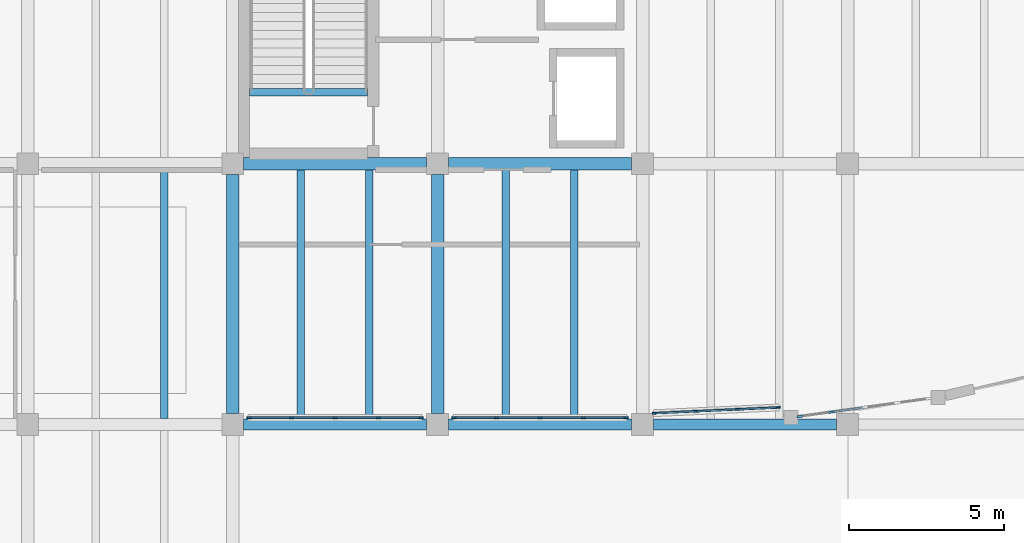
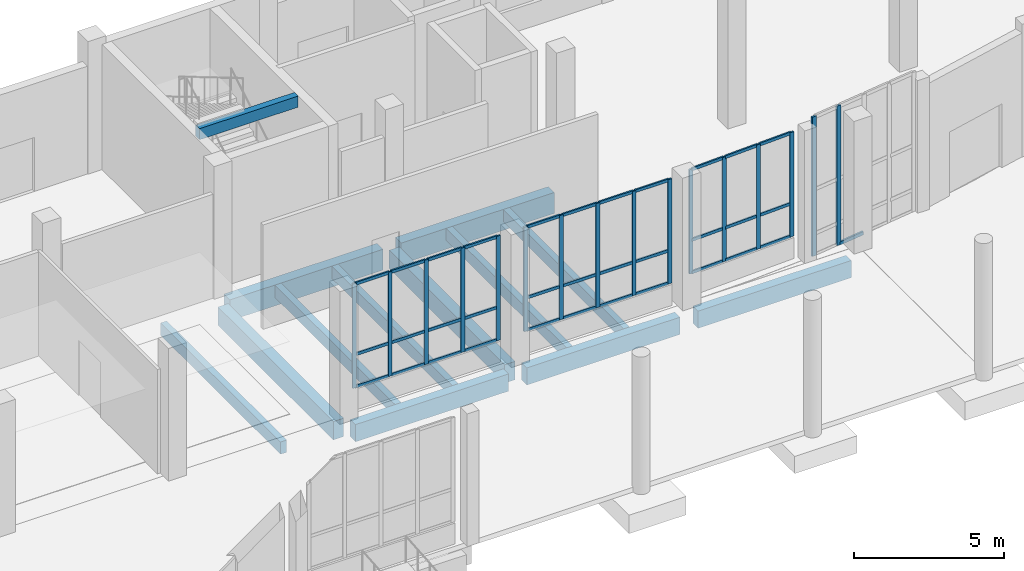
# One storey, part 14 of 64: 50 members, 13 beams, 4 elements without a shape of their own.
"""IFC4 building model written with IfcOpenShell, lengths in metres."""

from ifc_helpers import new_model, si_unit, direction, frame, origin, origin_2d, place, context, subcontext, project, spatial, rectangle, extrude, material, material_profile, profile_set, type_object, element, aggregate, save


model = new_model("IFC4")

# Units and contexts
model_context = context("Model", 3, precision=1e-05, world=origin(), true_north=direction((0.0, 1.0)))
body_context = subcontext(model_context, "Body", "Model", "MODEL_VIEW")
ifc_project = project(units=[si_unit("LENGTHUNIT", "METRE"), si_unit("AREAUNIT", "SQUARE_METRE"), si_unit("VOLUMEUNIT", "CUBIC_METRE"), si_unit("PLANEANGLEUNIT", "RADIAN"), si_unit("MASSUNIT", "GRAM", prefix="KILO")], contexts=[model_context])

# Site, building, storey
site_placement = place(None, origin())
site = spatial("IfcSite", under=ifc_project, at=site_placement, CompositionType="ELEMENT")
building_placement = place(site_placement, origin())
building = spatial("IfcBuilding", under=site, at=building_placement, Name="Qaldarim Faculty of Natural and Applied Sciences", CompositionType="ELEMENT")
storey_placement = place(building_placement, origin())
storey = spatial("IfcBuildingStorey", under=building, at=storey_placement, Name="L00", CompositionType="ELEMENT", Elevation=0.0)

# Beams
ifc_material_1 = material(Name="Concrete C40/50", Category="concrete")
ifc_material_profile_1 = material_profile(ifc_material_1, rectangle(XDim=0.239990234375, YDim=0.5, at=origin_2d()), Name="RC-J240x500")
ifc_profile_set_1 = profile_set([ifc_material_profile_1], Name="Concrete C40/50")
beam_type_1 = type_object("IfcBeamType", Name="HeavyJoist-RC240x500", PredefinedType="JOIST", material=ifc_profile_set_1)
beam_1_placement = place(storey_placement, frame((96.800048828125, 101.0, -0.610107421875), z_axis=(0.0, 1.0, 0.0), x_axis=(-1.0, 0.0, 0.0)))
element("IfcBeam", 1, at=beam_1_placement, inside=storey, type_object=beam_type_1, Name="Laboratory joist B01 bay X15Y13-2", PredefinedType="JOIST", context=body_context, shape_type="SweptSolid", body=[
    extrude(rectangle(XDim=0.239990234375, YDim=0.5, at=origin_2d()), origin(), (0.0, 0.0, 1.0), 8.0),
])
for number, where, z_axis, x_axis, name in (
    (2, (101.199951171875, 100.97509765625, -0.610107421875), (0.0, 1.0, 0.0), (-1.0, 0.0, 0.0), "Laboratory joist B01 bay X16Y13-1"),
    (3, (103.39990234375, 100.97509765625, -0.610107421875), (0.0, 1.0, 0.0), (-1.0, 0.0, 0.0), "Laboratory joist B01 bay X16Y13-2"),
    (4, (107.800048828125, 100.97509765625, -0.610107421875), (0.0, 1.0, 0.0), (-1.0, 0.0, 0.0), "Laboratory joist B01 bay X17Y13-1"),
    (5, (110.0, 100.97509765625, -0.610107421875), (0.0, 1.0, 0.0), (-1.0, 0.0, 0.0), "Laboratory joist B01 bay X17Y13-2"),
):
    element("IfcBeam", number, at=place(storey_placement, frame(where, z_axis=z_axis, x_axis=x_axis)), inside=storey, type_object=beam_type_1, Name=name, PredefinedType="JOIST", context=body_context, shape_type="SweptSolid", body=[
        extrude(rectangle(XDim=0.239990234375, YDim=0.5, at=origin_2d()), origin(), (0.0, 0.0, 1.0), 8.02490234375),
    ])
ifc_material_2 = material(Name="Concrete C50/60", Category="concrete")
ifc_material_profile_2 = material_profile(ifc_material_2, rectangle(XDim=0.39990234375, YDim=0.75, at=origin_2d()), Name="RC-B400x750")
ifc_profile_set_2 = profile_set([ifc_material_profile_2], Name="Concrete C50/60")
beam_type_2 = type_object("IfcBeamType", Name="LabGirder-RC400x750", PredefinedType="BEAM", material=ifc_profile_set_2)
for number, where, z_axis, x_axis, name in (
    (6, (99.0, 101.14990234375, -0.735107421875), (0.0, 1.0, 0.0), (-1.0, 0.0, 0.0), "Beam RC-B400x750 B01 X16/Y13-Y14"),
    (7, (105.60009765625, 101.14990234375, -0.735107421875), (0.0, 1.0, 0.0), (-1.0, 0.0, 0.0), "Beam RC-B400x750 B01 X17/Y13-Y14"),
):
    element("IfcBeam", number, at=place(storey_placement, frame(where, z_axis=z_axis, x_axis=x_axis)), inside=storey, type_object=beam_type_2, Name=name, PredefinedType="BEAM", context=body_context, shape_type="SweptSolid", body=[
        extrude(rectangle(XDim=0.39990234375, YDim=0.75, at=origin_2d()), origin(), (0.0, 0.0, 1.0), 7.7001953125),
    ])
ifc_material_profile_3 = material_profile(ifc_material_1, rectangle(XDim=0.25, YDim=0.449951171875, at=origin_2d()), Name="RC-LN250x450")
ifc_profile_set_3 = profile_set([ifc_material_profile_3], Name="Concrete C40/50")
beam_type_3 = type_object("IfcBeamType", Name="LandingSupportBeam-RC250x450", PredefinedType="BEAM", material=ifc_profile_set_3)
beam_2_placement = place(storey_placement, frame((99.550048828125, 111.5, 4.875), z_axis=(1.0, 0.0, 0.0), x_axis=(0.0, 1.0, 0.0)))
element("IfcBeam", 8, at=beam_2_placement, inside=storey, type_object=beam_type_3, Name="Stair arrival support beam ST-B1 L00", PredefinedType="BEAM", context=body_context, shape_type="SweptSolid", body=[
    extrude(rectangle(XDim=0.25, YDim=0.449951171875, at=origin_2d()), origin(), (0.0, 0.0, 1.0), 3.800048828125),
])

# Curtain wall, members
ifc_material_3 = material(Name="Anodised aluminium AW-6063", Category="aluminium")
curtain_wall_type_1 = type_object("IfcCurtainWallType", Name="CurtainWallSystem-M1400", PredefinedType="USERDEFINED", material=ifc_material_3)
curtain_wall_1_placement = place(storey_placement, origin())
curtain_wall_1 = element("IfcCurtainWall", 9, at=curtain_wall_1_placement, inside=storey, type_object=curtain_wall_type_1, Name="Curtain wall CW-V4RIB-L00-X16", ObjectType="STICK CURTAIN WALL", PredefinedType="USERDEFINED")
ifc_material_profile_4 = material_profile(ifc_material_3, rectangle(XDim=0.06005859375, YDim=0.14990234375, at=origin_2d()), Name="ALU-M60x150")
ifc_profile_set_4 = profile_set([ifc_material_profile_4], Name="Anodised aluminium AW-6063")
member_type_1 = type_object("IfcMemberType", Name="Mullion-ALU60x150", PredefinedType="MULLION", material=ifc_profile_set_4)
member_1_placement = place(storey_placement, frame((99.530029296875, 101.02001953125, 0.85009765625), z_axis=(0.0, 0.0, 1.0), x_axis=(0.0, 1.0, 0.0)))
member_1 = element("IfcMember", 10, at=member_1_placement, type_object=member_type_1, Name="Mullion 1 of CW-V4RIB-L00-X16", PredefinedType="MULLION", context=body_context, shape_type="SweptSolid", body=[
    extrude(rectangle(XDim=0.06005859375, YDim=0.14990234375, at=origin_2d()), origin(), (0.0, 0.0, 1.0), 4.25),
])
member_2_placement = place(storey_placement, frame((100.89990234375, 101.02001953125, 0.85009765625), z_axis=(0.0, 0.0, 1.0), x_axis=(0.0, 1.0, 0.0)))
member_2 = element("IfcMember", 11, at=member_2_placement, type_object=member_type_1, Name="Mullion 2 of CW-V4RIB-L00-X16", PredefinedType="MULLION", context=body_context, shape_type="SweptSolid", body=[
    extrude(rectangle(XDim=0.06005859375, YDim=0.14990234375, at=origin_2d()), origin(), (0.0, 0.0, 1.0), 4.25),
])
member_3_placement = place(storey_placement, frame((102.300048828125, 101.02001953125, 0.85009765625), z_axis=(0.0, 0.0, 1.0), x_axis=(0.0, 1.0, 0.0)))
member_3 = element("IfcMember", 12, at=member_3_placement, type_object=member_type_1, Name="Mullion 3 of CW-V4RIB-L00-X16", PredefinedType="MULLION", context=body_context, shape_type="SweptSolid", body=[
    extrude(rectangle(XDim=0.06005859375, YDim=0.14990234375, at=origin_2d()), origin(), (0.0, 0.0, 1.0), 4.25),
])
member_4_placement = place(storey_placement, frame((103.699951171875, 101.02001953125, 0.85009765625), z_axis=(0.0, 0.0, 1.0), x_axis=(0.0, 1.0, 0.0)))
member_4 = element("IfcMember", 13, at=member_4_placement, type_object=member_type_1, Name="Mullion 4 of CW-V4RIB-L00-X16", PredefinedType="MULLION", context=body_context, shape_type="SweptSolid", body=[
    extrude(rectangle(XDim=0.06005859375, YDim=0.14990234375, at=origin_2d()), origin(), (0.0, 0.0, 1.0), 4.25),
])
member_5_placement = place(storey_placement, frame((105.070068359375, 101.02001953125, 0.85009765625), z_axis=(0.0, 0.0, 1.0), x_axis=(0.0, 1.0, 0.0)))
member_5 = element("IfcMember", 14, at=member_5_placement, type_object=member_type_1, Name="Mullion 5 of CW-V4RIB-L00-X16", PredefinedType="MULLION", context=body_context, shape_type="SweptSolid", body=[
    extrude(rectangle(XDim=0.06005859375, YDim=0.14990234375, at=origin_2d()), origin(), (0.0, 0.0, 1.0), 4.25),
])

curtain_wall_2_placement = place(storey_placement, origin())
curtain_wall_2 = element("IfcCurtainWall", 15, at=curtain_wall_2_placement, inside=storey, type_object=curtain_wall_type_1, Name="Curtain wall CW-V4RIB-L00-X17", ObjectType="STICK CURTAIN WALL", PredefinedType="USERDEFINED")
member_6_placement = place(storey_placement, frame((106.1298828125, 101.02001953125, 0.85009765625), z_axis=(0.0, 0.0, 1.0), x_axis=(0.0, 1.0, 0.0)))
member_6 = element("IfcMember", 16, at=member_6_placement, type_object=member_type_1, Name="Mullion 1 of CW-V4RIB-L00-X17", PredefinedType="MULLION", context=body_context, shape_type="SweptSolid", body=[
    extrude(rectangle(XDim=0.06005859375, YDim=0.14990234375, at=origin_2d()), origin(), (0.0, 0.0, 1.0), 4.25),
])
member_7_placement = place(storey_placement, frame((107.5, 101.02001953125, 0.85009765625), z_axis=(0.0, 0.0, 1.0), x_axis=(0.0, 1.0, 0.0)))
member_7 = element("IfcMember", 17, at=member_7_placement, type_object=member_type_1, Name="Mullion 2 of CW-V4RIB-L00-X17", PredefinedType="MULLION", context=body_context, shape_type="SweptSolid", body=[
    extrude(rectangle(XDim=0.06005859375, YDim=0.14990234375, at=origin_2d()), origin(), (0.0, 0.0, 1.0), 4.25),
])
member_8_placement = place(storey_placement, frame((108.89990234375, 101.02001953125, 0.85009765625), z_axis=(0.0, 0.0, 1.0), x_axis=(0.0, 1.0, 0.0)))
member_8 = element("IfcMember", 18, at=member_8_placement, type_object=member_type_1, Name="Mullion 3 of CW-V4RIB-L00-X17", PredefinedType="MULLION", context=body_context, shape_type="SweptSolid", body=[
    extrude(rectangle(XDim=0.06005859375, YDim=0.14990234375, at=origin_2d()), origin(), (0.0, 0.0, 1.0), 4.25),
])
member_9_placement = place(storey_placement, frame((110.300048828125, 101.02001953125, 0.85009765625), z_axis=(0.0, 0.0, 1.0), x_axis=(0.0, 1.0, 0.0)))
member_9 = element("IfcMember", 19, at=member_9_placement, type_object=member_type_1, Name="Mullion 4 of CW-V4RIB-L00-X17", PredefinedType="MULLION", context=body_context, shape_type="SweptSolid", body=[
    extrude(rectangle(XDim=0.06005859375, YDim=0.14990234375, at=origin_2d()), origin(), (0.0, 0.0, 1.0), 4.25),
])
member_10_placement = place(storey_placement, frame((111.669921875, 101.02001953125, 0.85009765625), z_axis=(0.0, 0.0, 1.0), x_axis=(0.0, 1.0, 0.0)))
member_10 = element("IfcMember", 20, at=member_10_placement, type_object=member_type_1, Name="Mullion 5 of CW-V4RIB-L00-X17", PredefinedType="MULLION", context=body_context, shape_type="SweptSolid", body=[
    extrude(rectangle(XDim=0.06005859375, YDim=0.14990234375, at=origin_2d()), origin(), (0.0, 0.0, 1.0), 4.25),
])

curtain_wall_3_placement = place(storey_placement, origin())
curtain_wall_3 = element("IfcCurtainWall", 21, at=curtain_wall_3_placement, inside=storey, type_object=curtain_wall_type_1, Name="Curtain wall CW-V4ARC-L00-00", ObjectType="STICK CURTAIN WALL", PredefinedType="USERDEFINED")
member_11_placement = place(storey_placement, frame((112.580078125, 101.16650390625, 0.85009765625), z_axis=(0.0, 0.0, 1.0), x_axis=(-0.045746561938, 0.998953078013, 0.0)))
member_11 = element("IfcMember", 22, at=member_11_placement, type_object=member_type_1, Name="Mullion 1 of CW-V4ARC-L00-00", PredefinedType="MULLION", context=body_context, shape_type="SweptSolid", body=[
    extrude(rectangle(XDim=0.06005859375, YDim=0.14990234375, at=origin_2d()), origin(), (0.0, 0.0, 1.0), 4.25),
])
member_12_placement = place(storey_placement, frame((113.896728515625, 101.226806640625, 0.85009765625), z_axis=(0.0, 0.0, 1.0), x_axis=(-0.045746561938, 0.998953078013, 0.0)))
member_12 = element("IfcMember", 23, at=member_12_placement, type_object=member_type_1, Name="Mullion 2 of CW-V4ARC-L00-00", PredefinedType="MULLION", context=body_context, shape_type="SweptSolid", body=[
    extrude(rectangle(XDim=0.06005859375, YDim=0.14990234375, at=origin_2d()), origin(), (0.0, 0.0, 1.0), 4.25),
])
member_13_placement = place(storey_placement, frame((115.243408203125, 101.288330078125, 0.85009765625), z_axis=(0.0, 0.0, 1.0), x_axis=(-0.045746561938, 0.998953078013, 0.0)))
member_13 = element("IfcMember", 24, at=member_13_placement, type_object=member_type_1, Name="Mullion 3 of CW-V4ARC-L00-00", PredefinedType="MULLION", context=body_context, shape_type="SweptSolid", body=[
    extrude(rectangle(XDim=0.06005859375, YDim=0.14990234375, at=origin_2d()), origin(), (0.0, 0.0, 1.0), 4.25),
])
member_14_placement = place(storey_placement, frame((116.56005859375, 101.3486328125, 0.85009765625), z_axis=(0.0, 0.0, 1.0), x_axis=(-0.045746561938, 0.998953078013, 0.0)))
member_14 = element("IfcMember", 25, at=member_14_placement, type_object=member_type_1, Name="Mullion 4 of CW-V4ARC-L00-00", PredefinedType="MULLION", context=body_context, shape_type="SweptSolid", body=[
    extrude(rectangle(XDim=0.06005859375, YDim=0.14990234375, at=origin_2d()), origin(), (0.0, 0.0, 1.0), 4.25),
])

curtain_wall_type_2 = type_object("IfcCurtainWallType", Name="CurtainWallSystem-M1200", PredefinedType="USERDEFINED", material=ifc_material_3)
curtain_wall_4_placement = place(storey_placement, origin())
curtain_wall_4 = element("IfcCurtainWall", 26, at=curtain_wall_4_placement, inside=storey, type_object=curtain_wall_type_2, Name="Curtain wall CW-PORT-ARCH-1", ObjectType="STICK CURTAIN WALL", PredefinedType="USERDEFINED")
ifc_material_profile_5 = material_profile(ifc_material_3, rectangle(XDim=0.070068359375, YDim=0.179931640625, at=origin_2d()), Name="ALU-M70x180")
ifc_profile_set_5 = profile_set([ifc_material_profile_5], Name="Anodised aluminium AW-6063")
member_type_2 = type_object("IfcMemberType", Name="Mullion-ALU70x180", PredefinedType="MULLION", material=ifc_profile_set_5)
member_15_placement = place(storey_placement, frame((117.259765625, 101.059814453125, 0.0), z_axis=(0.0, 0.0, 1.0), x_axis=(-0.136995052965, 0.990571731609, 0.0)))
member_15 = element("IfcMember", 27, at=member_15_placement, type_object=member_type_2, Name="Mullion 1 of CW-PORT-ARCH-1", PredefinedType="MULLION", context=body_context, shape_type="SweptSolid", body=[
    extrude(rectangle(XDim=0.070068359375, YDim=0.179931640625, at=origin_2d()), origin(), (0.0, 0.0, 1.0), 5.675048828125),
])
member_16_placement = place(storey_placement, frame((118.282470703125, 101.201416015625, 0.0), z_axis=(0.0, 0.0, 1.0), x_axis=(-0.136995052965, 0.990571731609, 0.0)))
member_16 = element("IfcMember", 28, at=member_16_placement, type_object=member_type_2, Name="Mullion 2 of CW-PORT-ARCH-1", PredefinedType="MULLION", context=body_context, shape_type="SweptSolid", body=[
    extrude(rectangle(XDim=0.070068359375, YDim=0.179931640625, at=origin_2d()), origin(), (0.0, 0.0, 1.0), 5.675048828125),
])

# Beams
ifc_material_profile_6 = material_profile(ifc_material_2, rectangle(XDim=0.39990234375, YDim=0.85009765625, at=origin_2d()), Name="RC-B400x850")
ifc_profile_set_6 = profile_set([ifc_material_profile_6], Name="Concrete C50/60")
beam_type_4 = type_object("IfcBeamType", Name="PodiumGirder-RC400x850", PredefinedType="BEAM", material=ifc_profile_set_6)
beam_3_placement = place(storey_placement, frame((99.35009765625, 109.199951171875, -0.784912109375), z_axis=(1.0, 0.0, 0.0), x_axis=(0.0, 1.0, 0.0)))
element("IfcBeam", 29, at=beam_3_placement, inside=storey, type_object=beam_type_4, Name="Beam RC-B400x850 B01 X16-X17/Y14", PredefinedType="BEAM", context=body_context, shape_type="SweptSolid", body=[
    extrude(rectangle(XDim=0.39990234375, YDim=0.85009765625, at=origin_2d()), origin(), (0.0, 0.0, 1.0), 5.89990234375),
])
beam_4_placement = place(storey_placement, frame((105.949951171875, 109.199951171875, -0.784912109375), z_axis=(1.0, 0.0, 0.0), x_axis=(0.0, 1.0, 0.0)))
element("IfcBeam", 30, at=beam_4_placement, inside=storey, type_object=beam_type_4, Name="Beam RC-B400x850 B01 X17-X18/Y14", PredefinedType="BEAM", context=body_context, shape_type="SweptSolid", body=[
    extrude(rectangle(XDim=0.39990234375, YDim=0.85009765625, at=origin_2d()), origin(), (0.0, 0.0, 1.0), 5.900146484375),
])
ifc_material_profile_7 = material_profile(ifc_material_1, rectangle(XDim=0.35009765625, YDim=0.699951171875, at=origin_2d()), Name="RC-B350x700")
ifc_profile_set_7 = profile_set([ifc_material_profile_7], Name="Concrete C40/50")
beam_type_5 = type_object("IfcBeamType", Name="PrimaryGirder-RC350x700", PredefinedType="BEAM", material=ifc_profile_set_7)
beam_5_placement = place(storey_placement, frame((99.35009765625, 100.800048828125, -0.7099609375), z_axis=(1.0, 0.0, 0.0), x_axis=(0.0, 1.0, 0.0)))
element("IfcBeam", 31, at=beam_5_placement, inside=storey, type_object=beam_type_5, Name="Beam RC-B350x700 B01 X16-X17/Y13", PredefinedType="BEAM", context=body_context, shape_type="SweptSolid", body=[
    extrude(rectangle(XDim=0.35009765625, YDim=0.699951171875, at=origin_2d()), origin(), (0.0, 0.0, 1.0), 5.89990234375),
])
beam_6_placement = place(storey_placement, frame((105.949951171875, 100.800048828125, -0.7099609375), z_axis=(1.0, 0.0, 0.0), x_axis=(0.0, 1.0, 0.0)))
element("IfcBeam", 32, at=beam_6_placement, inside=storey, type_object=beam_type_5, Name="Beam RC-B350x700 B01 X17-X18/Y13", PredefinedType="BEAM", context=body_context, shape_type="SweptSolid", body=[
    extrude(rectangle(XDim=0.35009765625, YDim=0.699951171875, at=origin_2d()), origin(), (0.0, 0.0, 1.0), 5.900146484375),
])
beam_7_placement = place(storey_placement, frame((112.550048828125, 100.800048828125, -0.7099609375), z_axis=(1.0, 0.0, 0.0), x_axis=(0.0, 1.0, 0.0)))
element("IfcBeam", 33, at=beam_7_placement, inside=storey, type_object=beam_type_5, Name="Beam RC-B350x700 B01 X18-X19/Y13", PredefinedType="BEAM", context=body_context, shape_type="SweptSolid", body=[
    extrude(rectangle(XDim=0.35009765625, YDim=0.699951171875, at=origin_2d()), origin(), (0.0, 0.0, 1.0), 5.89990234375),
])

# Member
ifc_material_profile_8 = material_profile(ifc_material_3, rectangle(XDim=0.06005859375, YDim=0.1201171875, at=origin_2d()), Name="ALU-T60x120")
ifc_profile_set_8 = profile_set([ifc_material_profile_8], Name="Anodised aluminium AW-6063")
member_type_3 = type_object("IfcMemberType", Name="Transom-ALU60x120", PredefinedType="USERDEFINED", material=ifc_profile_set_8)
member_17_placement = place(storey_placement, frame((99.56005859375, 101.02001953125, 0.8798828125), z_axis=(1.0, 0.0, 0.0), x_axis=(0.0, 1.0, 0.0)))
member_17 = element("IfcMember", 34, at=member_17_placement, type_object=member_type_3, Name="Transom 1-1 of CW-V4RIB-L00-X16", ObjectType="TRANSOM", PredefinedType="USERDEFINED", context=body_context, shape_type="SweptSolid", body=[
    extrude(rectangle(XDim=0.06005859375, YDim=0.1201171875, at=origin_2d()), origin(), (0.0, 0.0, 1.0), 1.31005859375),
])

member_18_placement = place(storey_placement, frame((99.56005859375, 101.02001953125, 2.199951171875), z_axis=(1.0, 0.0, 0.0), x_axis=(0.0, 1.0, 0.0)))
member_18 = element("IfcMember", 35, at=member_18_placement, type_object=member_type_3, Name="Transom 1-2 of CW-V4RIB-L00-X16", ObjectType="TRANSOM", PredefinedType="USERDEFINED", context=body_context, shape_type="SweptSolid", body=[
    extrude(rectangle(XDim=0.06005859375, YDim=0.1201171875, at=origin_2d()), origin(), (0.0, 0.0, 1.0), 1.31005859375),
])

member_19_placement = place(storey_placement, frame((99.56005859375, 101.02001953125, 5.070068359375), z_axis=(1.0, 0.0, 0.0), x_axis=(0.0, 1.0, 0.0)))
member_19 = element("IfcMember", 36, at=member_19_placement, type_object=member_type_3, Name="Transom 1-3 of CW-V4RIB-L00-X16", ObjectType="TRANSOM", PredefinedType="USERDEFINED", context=body_context, shape_type="SweptSolid", body=[
    extrude(rectangle(XDim=0.06005859375, YDim=0.1201171875, at=origin_2d()), origin(), (0.0, 0.0, 1.0), 1.31005859375),
])

member_20_placement = place(storey_placement, frame((100.929931640625, 101.02001953125, 0.8798828125), z_axis=(1.0, 0.0, 0.0), x_axis=(0.0, 1.0, 0.0)))
member_20 = element("IfcMember", 37, at=member_20_placement, type_object=member_type_3, Name="Transom 2-1 of CW-V4RIB-L00-X16", ObjectType="TRANSOM", PredefinedType="USERDEFINED", context=body_context, shape_type="SweptSolid", body=[
    extrude(rectangle(XDim=0.06005859375, YDim=0.1201171875, at=origin_2d()), origin(), (0.0, 0.0, 1.0), 1.340087890625),
])

member_21_placement = place(storey_placement, frame((100.929931640625, 101.02001953125, 2.199951171875), z_axis=(1.0, 0.0, 0.0), x_axis=(0.0, 1.0, 0.0)))
member_21 = element("IfcMember", 38, at=member_21_placement, type_object=member_type_3, Name="Transom 2-2 of CW-V4RIB-L00-X16", ObjectType="TRANSOM", PredefinedType="USERDEFINED", context=body_context, shape_type="SweptSolid", body=[
    extrude(rectangle(XDim=0.06005859375, YDim=0.1201171875, at=origin_2d()), origin(), (0.0, 0.0, 1.0), 1.340087890625),
])

member_22_placement = place(storey_placement, frame((100.929931640625, 101.02001953125, 5.070068359375), z_axis=(1.0, 0.0, 0.0), x_axis=(0.0, 1.0, 0.0)))
member_22 = element("IfcMember", 39, at=member_22_placement, type_object=member_type_3, Name="Transom 2-3 of CW-V4RIB-L00-X16", ObjectType="TRANSOM", PredefinedType="USERDEFINED", context=body_context, shape_type="SweptSolid", body=[
    extrude(rectangle(XDim=0.06005859375, YDim=0.1201171875, at=origin_2d()), origin(), (0.0, 0.0, 1.0), 1.340087890625),
])

member_23_placement = place(storey_placement, frame((102.330078125, 101.02001953125, 0.8798828125), z_axis=(1.0, 0.0, 0.0), x_axis=(0.0, 1.0, 0.0)))
member_23 = element("IfcMember", 40, at=member_23_placement, type_object=member_type_3, Name="Transom 3-1 of CW-V4RIB-L00-X16", ObjectType="TRANSOM", PredefinedType="USERDEFINED", context=body_context, shape_type="SweptSolid", body=[
    extrude(rectangle(XDim=0.06005859375, YDim=0.1201171875, at=origin_2d()), origin(), (0.0, 0.0, 1.0), 1.33984375),
])

member_24_placement = place(storey_placement, frame((102.330078125, 101.02001953125, 2.199951171875), z_axis=(1.0, 0.0, 0.0), x_axis=(0.0, 1.0, 0.0)))
member_24 = element("IfcMember", 41, at=member_24_placement, type_object=member_type_3, Name="Transom 3-2 of CW-V4RIB-L00-X16", ObjectType="TRANSOM", PredefinedType="USERDEFINED", context=body_context, shape_type="SweptSolid", body=[
    extrude(rectangle(XDim=0.06005859375, YDim=0.1201171875, at=origin_2d()), origin(), (0.0, 0.0, 1.0), 1.33984375),
])

member_25_placement = place(storey_placement, frame((102.330078125, 101.02001953125, 5.070068359375), z_axis=(1.0, 0.0, 0.0), x_axis=(0.0, 1.0, 0.0)))
member_25 = element("IfcMember", 42, at=member_25_placement, type_object=member_type_3, Name="Transom 3-3 of CW-V4RIB-L00-X16", ObjectType="TRANSOM", PredefinedType="USERDEFINED", context=body_context, shape_type="SweptSolid", body=[
    extrude(rectangle(XDim=0.06005859375, YDim=0.1201171875, at=origin_2d()), origin(), (0.0, 0.0, 1.0), 1.33984375),
])

member_26_placement = place(storey_placement, frame((103.72998046875, 101.02001953125, 0.8798828125), z_axis=(1.0, 0.0, 0.0), x_axis=(0.0, 1.0, 0.0)))
member_26 = element("IfcMember", 43, at=member_26_placement, type_object=member_type_3, Name="Transom 4-1 of CW-V4RIB-L00-X16", ObjectType="TRANSOM", PredefinedType="USERDEFINED", context=body_context, shape_type="SweptSolid", body=[
    extrude(rectangle(XDim=0.06005859375, YDim=0.1201171875, at=origin_2d()), origin(), (0.0, 0.0, 1.0), 1.31005859375),
])

member_27_placement = place(storey_placement, frame((103.72998046875, 101.02001953125, 2.199951171875), z_axis=(1.0, 0.0, 0.0), x_axis=(0.0, 1.0, 0.0)))
member_27 = element("IfcMember", 44, at=member_27_placement, type_object=member_type_3, Name="Transom 4-2 of CW-V4RIB-L00-X16", ObjectType="TRANSOM", PredefinedType="USERDEFINED", context=body_context, shape_type="SweptSolid", body=[
    extrude(rectangle(XDim=0.06005859375, YDim=0.1201171875, at=origin_2d()), origin(), (0.0, 0.0, 1.0), 1.31005859375),
])

member_28_placement = place(storey_placement, frame((103.72998046875, 101.02001953125, 5.070068359375), z_axis=(1.0, 0.0, 0.0), x_axis=(0.0, 1.0, 0.0)))
member_28 = element("IfcMember", 45, at=member_28_placement, type_object=member_type_3, Name="Transom 4-3 of CW-V4RIB-L00-X16", ObjectType="TRANSOM", PredefinedType="USERDEFINED", context=body_context, shape_type="SweptSolid", body=[
    extrude(rectangle(XDim=0.06005859375, YDim=0.1201171875, at=origin_2d()), origin(), (0.0, 0.0, 1.0), 1.31005859375),
])

aggregate(curtain_wall_1, [member_1, member_2, member_3, member_4, member_5, member_17, member_18, member_19, member_20, member_21, member_22, member_23, member_24, member_25, member_26, member_27, member_28])

member_29_placement = place(storey_placement, frame((106.159912109375, 101.02001953125, 0.8798828125), z_axis=(1.0, 0.0, 0.0), x_axis=(0.0, 1.0, 0.0)))
member_29 = element("IfcMember", 46, at=member_29_placement, type_object=member_type_3, Name="Transom 1-1 of CW-V4RIB-L00-X17", ObjectType="TRANSOM", PredefinedType="USERDEFINED", context=body_context, shape_type="SweptSolid", body=[
    extrude(rectangle(XDim=0.06005859375, YDim=0.1201171875, at=origin_2d()), origin(), (0.0, 0.0, 1.0), 1.31005859375),
])

member_30_placement = place(storey_placement, frame((106.159912109375, 101.02001953125, 2.199951171875), z_axis=(1.0, 0.0, 0.0), x_axis=(0.0, 1.0, 0.0)))
member_30 = element("IfcMember", 47, at=member_30_placement, type_object=member_type_3, Name="Transom 1-2 of CW-V4RIB-L00-X17", ObjectType="TRANSOM", PredefinedType="USERDEFINED", context=body_context, shape_type="SweptSolid", body=[
    extrude(rectangle(XDim=0.06005859375, YDim=0.1201171875, at=origin_2d()), origin(), (0.0, 0.0, 1.0), 1.31005859375),
])

member_31_placement = place(storey_placement, frame((106.159912109375, 101.02001953125, 5.070068359375), z_axis=(1.0, 0.0, 0.0), x_axis=(0.0, 1.0, 0.0)))
member_31 = element("IfcMember", 48, at=member_31_placement, type_object=member_type_3, Name="Transom 1-3 of CW-V4RIB-L00-X17", ObjectType="TRANSOM", PredefinedType="USERDEFINED", context=body_context, shape_type="SweptSolid", body=[
    extrude(rectangle(XDim=0.06005859375, YDim=0.1201171875, at=origin_2d()), origin(), (0.0, 0.0, 1.0), 1.31005859375),
])

member_32_placement = place(storey_placement, frame((107.530029296875, 101.02001953125, 0.8798828125), z_axis=(1.0, 0.0, 0.0), x_axis=(0.0, 1.0, 0.0)))
member_32 = element("IfcMember", 49, at=member_32_placement, type_object=member_type_3, Name="Transom 2-1 of CW-V4RIB-L00-X17", ObjectType="TRANSOM", PredefinedType="USERDEFINED", context=body_context, shape_type="SweptSolid", body=[
    extrude(rectangle(XDim=0.06005859375, YDim=0.1201171875, at=origin_2d()), origin(), (0.0, 0.0, 1.0), 1.340087890625),
])

member_33_placement = place(storey_placement, frame((107.530029296875, 101.02001953125, 2.199951171875), z_axis=(1.0, 0.0, 0.0), x_axis=(0.0, 1.0, 0.0)))
member_33 = element("IfcMember", 50, at=member_33_placement, type_object=member_type_3, Name="Transom 2-2 of CW-V4RIB-L00-X17", ObjectType="TRANSOM", PredefinedType="USERDEFINED", context=body_context, shape_type="SweptSolid", body=[
    extrude(rectangle(XDim=0.06005859375, YDim=0.1201171875, at=origin_2d()), origin(), (0.0, 0.0, 1.0), 1.340087890625),
])

member_34_placement = place(storey_placement, frame((107.530029296875, 101.02001953125, 5.070068359375), z_axis=(1.0, 0.0, 0.0), x_axis=(0.0, 1.0, 0.0)))
member_34 = element("IfcMember", 51, at=member_34_placement, type_object=member_type_3, Name="Transom 2-3 of CW-V4RIB-L00-X17", ObjectType="TRANSOM", PredefinedType="USERDEFINED", context=body_context, shape_type="SweptSolid", body=[
    extrude(rectangle(XDim=0.06005859375, YDim=0.1201171875, at=origin_2d()), origin(), (0.0, 0.0, 1.0), 1.340087890625),
])

member_35_placement = place(storey_placement, frame((108.929931640625, 101.02001953125, 0.8798828125), z_axis=(1.0, 0.0, 0.0), x_axis=(0.0, 1.0, 0.0)))
member_35 = element("IfcMember", 52, at=member_35_placement, type_object=member_type_3, Name="Transom 3-1 of CW-V4RIB-L00-X17", ObjectType="TRANSOM", PredefinedType="USERDEFINED", context=body_context, shape_type="SweptSolid", body=[
    extrude(rectangle(XDim=0.06005859375, YDim=0.1201171875, at=origin_2d()), origin(), (0.0, 0.0, 1.0), 1.340087890625),
])

member_36_placement = place(storey_placement, frame((108.929931640625, 101.02001953125, 2.199951171875), z_axis=(1.0, 0.0, 0.0), x_axis=(0.0, 1.0, 0.0)))
member_36 = element("IfcMember", 53, at=member_36_placement, type_object=member_type_3, Name="Transom 3-2 of CW-V4RIB-L00-X17", ObjectType="TRANSOM", PredefinedType="USERDEFINED", context=body_context, shape_type="SweptSolid", body=[
    extrude(rectangle(XDim=0.06005859375, YDim=0.1201171875, at=origin_2d()), origin(), (0.0, 0.0, 1.0), 1.340087890625),
])

member_37_placement = place(storey_placement, frame((108.929931640625, 101.02001953125, 5.070068359375), z_axis=(1.0, 0.0, 0.0), x_axis=(0.0, 1.0, 0.0)))
member_37 = element("IfcMember", 54, at=member_37_placement, type_object=member_type_3, Name="Transom 3-3 of CW-V4RIB-L00-X17", ObjectType="TRANSOM", PredefinedType="USERDEFINED", context=body_context, shape_type="SweptSolid", body=[
    extrude(rectangle(XDim=0.06005859375, YDim=0.1201171875, at=origin_2d()), origin(), (0.0, 0.0, 1.0), 1.340087890625),
])

member_38_placement = place(storey_placement, frame((110.330078125, 101.02001953125, 0.8798828125), z_axis=(1.0, 0.0, 0.0), x_axis=(0.0, 1.0, 0.0)))
member_38 = element("IfcMember", 55, at=member_38_placement, type_object=member_type_3, Name="Transom 4-1 of CW-V4RIB-L00-X17", ObjectType="TRANSOM", PredefinedType="USERDEFINED", context=body_context, shape_type="SweptSolid", body=[
    extrude(rectangle(XDim=0.06005859375, YDim=0.1201171875, at=origin_2d()), origin(), (0.0, 0.0, 1.0), 1.309814453125),
])

member_39_placement = place(storey_placement, frame((110.330078125, 101.02001953125, 2.199951171875), z_axis=(1.0, 0.0, 0.0), x_axis=(0.0, 1.0, 0.0)))
member_39 = element("IfcMember", 56, at=member_39_placement, type_object=member_type_3, Name="Transom 4-2 of CW-V4RIB-L00-X17", ObjectType="TRANSOM", PredefinedType="USERDEFINED", context=body_context, shape_type="SweptSolid", body=[
    extrude(rectangle(XDim=0.06005859375, YDim=0.1201171875, at=origin_2d()), origin(), (0.0, 0.0, 1.0), 1.309814453125),
])

member_40_placement = place(storey_placement, frame((110.330078125, 101.02001953125, 5.070068359375), z_axis=(1.0, 0.0, 0.0), x_axis=(0.0, 1.0, 0.0)))
member_40 = element("IfcMember", 57, at=member_40_placement, type_object=member_type_3, Name="Transom 4-3 of CW-V4RIB-L00-X17", ObjectType="TRANSOM", PredefinedType="USERDEFINED", context=body_context, shape_type="SweptSolid", body=[
    extrude(rectangle(XDim=0.06005859375, YDim=0.1201171875, at=origin_2d()), origin(), (0.0, 0.0, 1.0), 1.309814453125),
])

aggregate(curtain_wall_2, [member_6, member_7, member_8, member_9, member_10, member_29, member_30, member_31, member_32, member_33, member_34, member_35, member_36, member_37, member_38, member_39, member_40])

member_41_placement = place(storey_placement, frame((112.60986328125, 101.167724609375, 0.8798828125), z_axis=(0.998950860926, 0.045794950112, 0.0), x_axis=(-0.045794950112, 0.998950860926, 0.0)))
member_41 = element("IfcMember", 58, at=member_41_placement, type_object=member_type_3, Name="Transom 1-1 of CW-V4ARC-L00-00", ObjectType="TRANSOM", PredefinedType="USERDEFINED", context=body_context, shape_type="SweptSolid", body=[
    extrude(rectangle(XDim=0.06005859375, YDim=0.1201171875, at=origin_2d()), origin(), (0.0, 0.0, 1.0), 1.258056640625),
])

member_42_placement = place(storey_placement, frame((112.60986328125, 101.167724609375, 2.199951171875), z_axis=(0.998950860926, 0.045794950112, 0.0), x_axis=(-0.045794950112, 0.998950860926, 0.0)))
member_42 = element("IfcMember", 59, at=member_42_placement, type_object=member_type_3, Name="Transom 1-2 of CW-V4ARC-L00-00", ObjectType="TRANSOM", PredefinedType="USERDEFINED", context=body_context, shape_type="SweptSolid", body=[
    extrude(rectangle(XDim=0.06005859375, YDim=0.1201171875, at=origin_2d()), origin(), (0.0, 0.0, 1.0), 1.258056640625),
])

member_43_placement = place(storey_placement, frame((112.60986328125, 101.167724609375, 5.070068359375), z_axis=(0.998950860926, 0.045794950112, 0.0), x_axis=(-0.045794950112, 0.998950860926, 0.0)))
member_43 = element("IfcMember", 60, at=member_43_placement, type_object=member_type_3, Name="Transom 1-3 of CW-V4ARC-L00-00", ObjectType="TRANSOM", PredefinedType="USERDEFINED", context=body_context, shape_type="SweptSolid", body=[
    extrude(rectangle(XDim=0.06005859375, YDim=0.1201171875, at=origin_2d()), origin(), (0.0, 0.0, 1.0), 1.258056640625),
])

member_44_placement = place(storey_placement, frame((113.926513671875, 101.22802734375, 0.8798828125), z_axis=(0.998947726126, 0.04586328016, 0.0), x_axis=(-0.04586328016, 0.998947726126, 0.0)))
member_44 = element("IfcMember", 61, at=member_44_placement, type_object=member_type_3, Name="Transom 2-1 of CW-V4ARC-L00-00", ObjectType="TRANSOM", PredefinedType="USERDEFINED", context=body_context, shape_type="SweptSolid", body=[
    extrude(rectangle(XDim=0.06005859375, YDim=0.1201171875, at=origin_2d()), origin(), (0.0, 0.0, 1.0), 1.288330078125),
])

member_45_placement = place(storey_placement, frame((113.926513671875, 101.22802734375, 2.199951171875), z_axis=(0.998947726126, 0.04586328016, 0.0), x_axis=(-0.04586328016, 0.998947726126, 0.0)))
member_45 = element("IfcMember", 62, at=member_45_placement, type_object=member_type_3, Name="Transom 2-2 of CW-V4ARC-L00-00", ObjectType="TRANSOM", PredefinedType="USERDEFINED", context=body_context, shape_type="SweptSolid", body=[
    extrude(rectangle(XDim=0.06005859375, YDim=0.1201171875, at=origin_2d()), origin(), (0.0, 0.0, 1.0), 1.288330078125),
])

member_46_placement = place(storey_placement, frame((113.926513671875, 101.22802734375, 5.070068359375), z_axis=(0.998947726126, 0.04586328016, 0.0), x_axis=(-0.04586328016, 0.998947726126, 0.0)))
member_46 = element("IfcMember", 63, at=member_46_placement, type_object=member_type_3, Name="Transom 2-3 of CW-V4ARC-L00-00", ObjectType="TRANSOM", PredefinedType="USERDEFINED", context=body_context, shape_type="SweptSolid", body=[
    extrude(rectangle(XDim=0.06005859375, YDim=0.1201171875, at=origin_2d()), origin(), (0.0, 0.0, 1.0), 1.288330078125),
])

member_47_placement = place(storey_placement, frame((115.273193359375, 101.289794921875, 0.8798828125), z_axis=(0.998950860926, 0.045794950112, 0.0), x_axis=(-0.045794950112, 0.998950860926, 0.0)))
member_47 = element("IfcMember", 64, at=member_47_placement, type_object=member_type_3, Name="Transom 3-1 of CW-V4ARC-L00-00", ObjectType="TRANSOM", PredefinedType="USERDEFINED", context=body_context, shape_type="SweptSolid", body=[
    extrude(rectangle(XDim=0.06005859375, YDim=0.1201171875, at=origin_2d()), origin(), (0.0, 0.0, 1.0), 1.258056640625),
])

member_48_placement = place(storey_placement, frame((115.273193359375, 101.289794921875, 2.199951171875), z_axis=(0.998950860926, 0.045794950112, 0.0), x_axis=(-0.045794950112, 0.998950860926, 0.0)))
member_48 = element("IfcMember", 65, at=member_48_placement, type_object=member_type_3, Name="Transom 3-2 of CW-V4ARC-L00-00", ObjectType="TRANSOM", PredefinedType="USERDEFINED", context=body_context, shape_type="SweptSolid", body=[
    extrude(rectangle(XDim=0.06005859375, YDim=0.1201171875, at=origin_2d()), origin(), (0.0, 0.0, 1.0), 1.258056640625),
])

member_49_placement = place(storey_placement, frame((115.273193359375, 101.289794921875, 5.070068359375), z_axis=(0.998950860926, 0.045794950112, 0.0), x_axis=(-0.045794950112, 0.998950860926, 0.0)))
member_49 = element("IfcMember", 66, at=member_49_placement, type_object=member_type_3, Name="Transom 3-3 of CW-V4ARC-L00-00", ObjectType="TRANSOM", PredefinedType="USERDEFINED", context=body_context, shape_type="SweptSolid", body=[
    extrude(rectangle(XDim=0.06005859375, YDim=0.1201171875, at=origin_2d()), origin(), (0.0, 0.0, 1.0), 1.258056640625),
])

aggregate(curtain_wall_3, [member_11, member_12, member_13, member_14, member_41, member_42, member_43, member_44, member_45, member_46, member_47, member_48, member_49])

ifc_material_profile_9 = material_profile(ifc_material_3, rectangle(XDim=0.070068359375, YDim=0.139892578125, at=origin_2d()), Name="ALU-T70x140")
ifc_profile_set_9 = profile_set([ifc_material_profile_9], Name="Anodised aluminium AW-6063")
member_type_4 = type_object("IfcMemberType", Name="Transom-ALU70x140", PredefinedType="USERDEFINED", material=ifc_profile_set_9)
member_50_placement = place(storey_placement, frame((118.317138671875, 101.2060546875, 0.034912109375), z_axis=(0.990566226427, 0.137034853458, 0.0), x_axis=(-0.137034853458, 0.990566226427, 0.0)))
member_50 = element("IfcMember", 67, at=member_50_placement, type_object=member_type_4, Name="Transom 2-1 of CW-PORT-ARCH-1", ObjectType="TRANSOM", PredefinedType="USERDEFINED", context=body_context, shape_type="SweptSolid", body=[
    extrude(rectangle(XDim=0.070068359375, YDim=0.139892578125, at=origin_2d()), origin(), (0.0, 0.0, 1.0), 0.997802734375),
])

aggregate(curtain_wall_4, [member_15, member_16, member_50])

save(model, "model.ifc")
